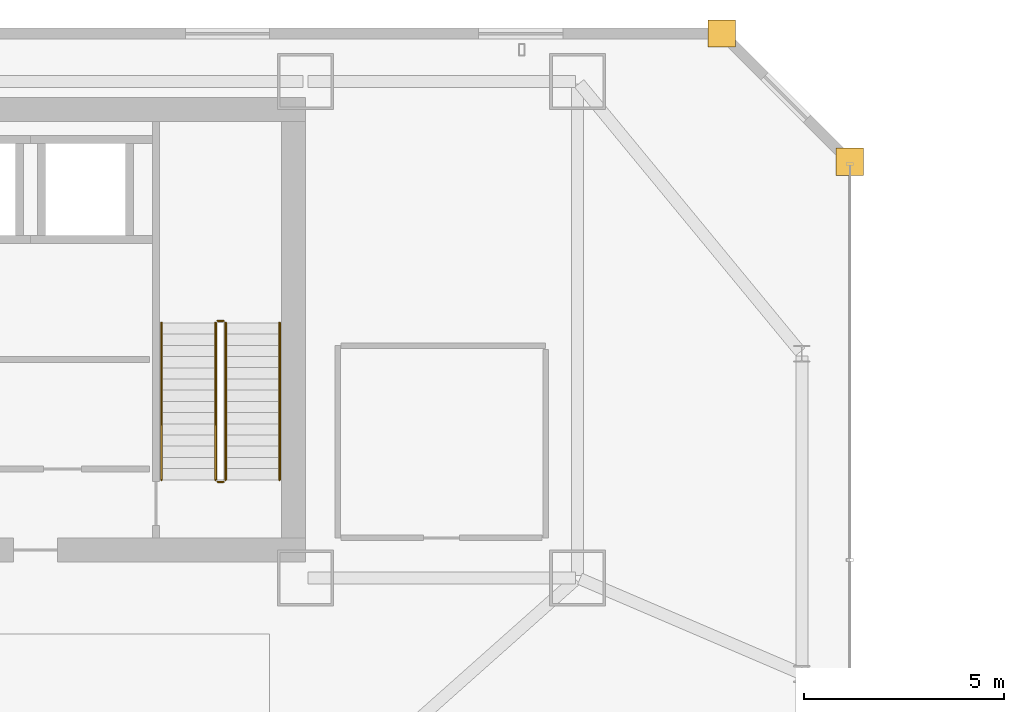
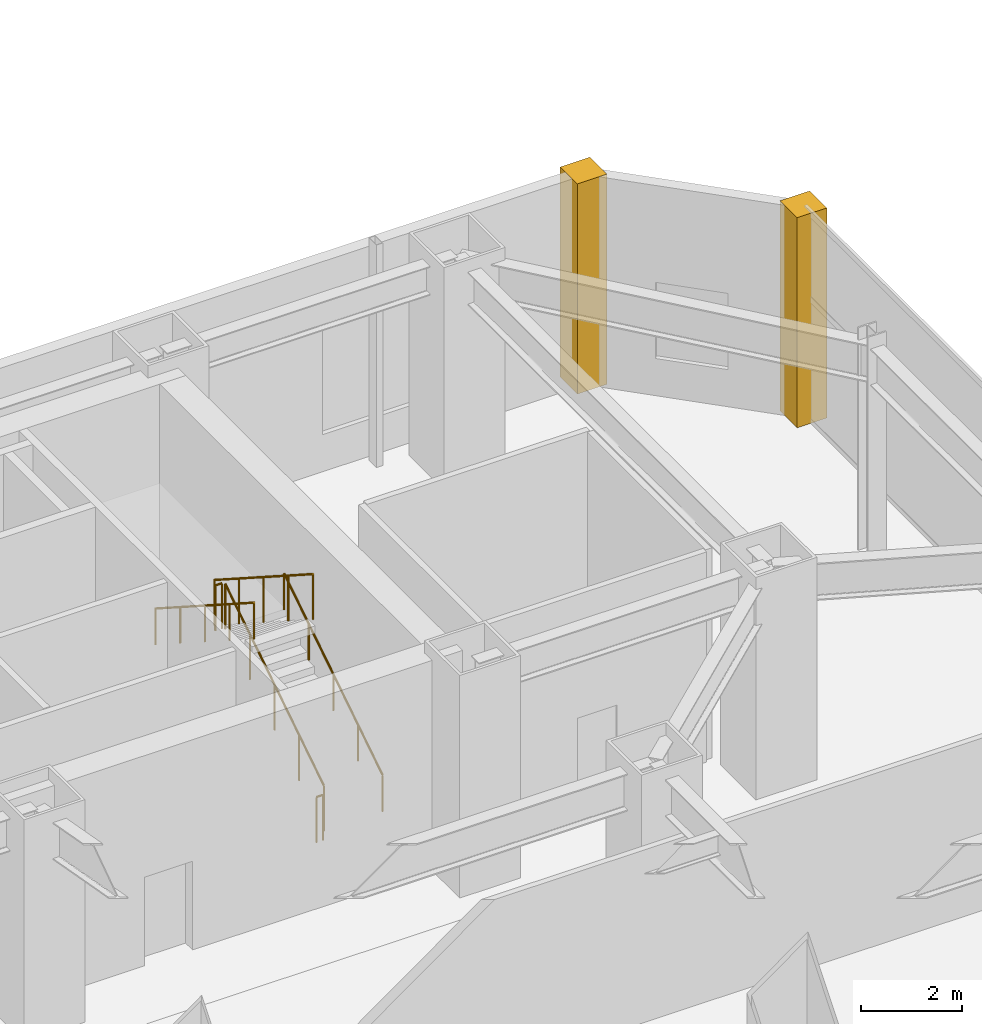
# One storey, part 49 of 52: 6 railings, 2 coverings.
"""IFC4 building model written with IfcOpenShell, lengths in metres."""

from ifc_helpers import new_model, si_unit, direction, frame, origin, origin_2d, place, context, subcontext, project, spatial, polyline, circle, outline, extrude, material, layer, layer_set, type_object, element, save


model = new_model("IFC4")

# Units and contexts
model_context = context("Model", 3, precision=1e-05, world=origin(), true_north=direction((0.0, 1.0)))
body_context = subcontext(model_context, "Body", "Model", "MODEL_VIEW")
ifc_project = project(units=[si_unit("LENGTHUNIT", "METRE"), si_unit("AREAUNIT", "SQUARE_METRE"), si_unit("VOLUMEUNIT", "CUBIC_METRE"), si_unit("PLANEANGLEUNIT", "RADIAN"), si_unit("MASSUNIT", "GRAM", prefix="KILO")], contexts=[model_context])

# Site, building, storey
site_placement = place(None, origin())
site = spatial("IfcSite", under=ifc_project, at=site_placement, CompositionType="ELEMENT")
building_placement = place(site_placement, origin())
building = spatial("IfcBuilding", under=site, at=building_placement, Name="Saevonmaru Cultural Tower", CompositionType="ELEMENT")
storey_placement = place(building_placement, frame((0.0, 0.0, 16.800048828125)))
storey = spatial("IfcBuildingStorey", under=building, at=storey_placement, Name="L03", CompositionType="ELEMENT", Elevation=16.800048828125)

# Coverings
ifc_material_1 = material(Name="Satin Bronze Anodised Aluminium", Category="aluminium")
ifc_layer = layer(ifc_material_1, 0.679931640625, Name="Satin Bronze Anodised Aluminium")
ifc_layer_set = layer_set([ifc_layer], Name="Satin Bronze Anodised Aluminium")
covering_type = type_object("IfcCoveringType", Name="CV-CORNER-CLAD", PredefinedType="CLADDING", material=ifc_layer_set)
covering_1_placement = place(storey_placement, origin())
element("IfcCovering", 1, at=covering_1_placement, inside=storey, type_object=covering_type, Name="L03 Podium Bronze Corner Cladding Pier 5", PredefinedType="CLADDING", context=body_context, shape_type="SweptSolid", body=[
    extrude(outline(polyline([(59.659912109375, 52.4599609375), (60.340087890625, 52.4599609375), (60.340087890625, 53.139892578125), (59.659912109375, 53.139892578125), (59.659912109375, 52.4599609375)])), origin(), (0.0, 0.0, 1.0), 5.099853515625),
])
covering_2_placement = place(storey_placement, origin())
element("IfcCovering", 2, at=covering_2_placement, inside=storey, type_object=covering_type, Name="L03 Podium Bronze Corner Cladding Pier 6", PredefinedType="CLADDING", context=body_context, shape_type="SweptSolid", body=[
    extrude(outline(polyline([(56.4599609375, 55.659912109375), (57.139892578125, 55.659912109375), (57.139892578125, 56.340087890625), (56.4599609375, 56.340087890625), (56.4599609375, 55.659912109375)])), origin(), (0.0, 0.0, 1.0), 5.099853515625),
])

# Railings
ifc_material_2 = material(Name="Architectural Painted Steel", Category="steel")
railing_type_1 = type_object("IfcRailingType", Name="RL-STAIR-GUARD", PredefinedType="GUARDRAIL", material=ifc_material_2)
railing_1_placement = place(storey_placement, frame((44.39990234375, 44.85009765625, 0.179931640625)))
element("IfcRailing", 3, at=railing_1_placement, inside=storey, type_object=railing_type_1, Name="L03 ST-2 stair guard 1", PredefinedType="GUARDRAIL", context=body_context, shape_type="SweptSolid", body=[
    extrude(circle(Radius=0.02392578125, at=origin_2d()), frame((0.0, 0.0, 1.09619140625), z_axis=(0.0, 0.841171666519, 0.540768182723), x_axis=(-1.0, 0.0, 0.0)), (0.0, 0.0, 1.0), 4.66015625),
    extrude(circle(Radius=0.02099609375, at=origin_2d()), origin(), (0.0, 0.0, 1.0), 1.072021484375),
    extrude(circle(Radius=0.02099609375, at=origin_2d()), frame((0.0, 0.97998046875, 0.6298828125)), (0.0, 0.0, 1.0), 1.072021484375),
    extrude(circle(Radius=0.02099609375, at=origin_2d()), frame((0.0, 1.9599609375, 1.260009765625)), (0.0, 0.0, 1.0), 1.072021484375),
    extrude(circle(Radius=0.02099609375, at=origin_2d()), frame((0.0, 2.93994140625, 1.89013671875)), (0.0, 0.0, 1.0), 1.072021484375),
    extrude(circle(Radius=0.02099609375, at=origin_2d()), frame((0.0, 3.919921875, 2.52001953125)), (0.0, 0.0, 1.0), 1.072021484375),
])
railing_2_placement = place(storey_placement, frame((44.35009765625, 48.820068359375, 2.699951171875)))
element("IfcRailing", 4, at=railing_2_placement, inside=storey, type_object=railing_type_1, Name="L03 ST-2 stair guard 2", PredefinedType="GUARDRAIL", context=body_context, shape_type="SweptSolid", body=[
    extrude(circle(Radius=0.02392578125, at=origin_2d()), frame((0.0, 0.0, 1.09619140625), z_axis=(-1.0, 0.0, 0.0), x_axis=(0.0, -1.0, 0.0)), (0.0, 0.0, 1.0), 0.150146484375),
    extrude(circle(Radius=0.02099609375, at=origin_2d()), origin(), (0.0, 0.0, 1.0), 1.072021484375),
    extrude(circle(Radius=0.02099609375, at=origin_2d()), frame((-0.150146484375, 0.0, 0.0)), (0.0, 0.0, 1.0), 1.072021484375),
])
railing_3_placement = place(storey_placement, frame((44.14990234375, 48.77001953125, 2.8798828125)))
element("IfcRailing", 5, at=railing_3_placement, inside=storey, type_object=railing_type_1, Name="L03 ST-2 stair guard 3", PredefinedType="GUARDRAIL", context=body_context, shape_type="SweptSolid", body=[
    extrude(circle(Radius=0.02392578125, at=origin_2d()), frame((0.0, 0.0, 1.09619140625), z_axis=(0.0, -0.841171666519, 0.540768182723), x_axis=(1.0, 0.0, 0.0)), (0.0, 0.0, 1.0), 4.66015625),
    extrude(circle(Radius=0.02099609375, at=origin_2d()), origin(), (0.0, 0.0, 1.0), 1.072021484375),
    extrude(circle(Radius=0.02099609375, at=origin_2d()), frame((0.0, -0.97998046875, 0.6298828125)), (0.0, 0.0, 1.0), 1.072021484375),
    extrude(circle(Radius=0.02099609375, at=origin_2d()), frame((0.0, -1.9599609375, 1.260009765625)), (0.0, 0.0, 1.0), 1.072021484375),
    extrude(circle(Radius=0.02099609375, at=origin_2d()), frame((0.0, -2.93994140625, 1.89013671875)), (0.0, 0.0, 1.0), 1.072021484375),
    extrude(circle(Radius=0.02099609375, at=origin_2d()), frame((0.0, -3.919921875, 2.52001953125)), (0.0, 0.0, 1.0), 1.072021484375),
])
railing_4_placement = place(storey_placement, frame((44.35009765625, 44.800048828125, 0.0)))
element("IfcRailing", 6, at=railing_4_placement, inside=storey, type_object=railing_type_1, Name="L03 ST-2 stair guard 4", PredefinedType="GUARDRAIL", context=body_context, shape_type="SweptSolid", body=[
    extrude(circle(Radius=0.02392578125, at=origin_2d()), frame((0.0, 0.0, 1.09619140625), z_axis=(-1.0, 0.0, 0.0), x_axis=(0.0, -1.0, 0.0)), (0.0, 0.0, 1.0), 0.150146484375),
    extrude(circle(Radius=0.02099609375, at=origin_2d()), origin(), (0.0, 0.0, 1.0), 1.072021484375),
    extrude(circle(Radius=0.02099609375, at=origin_2d()), frame((-0.150146484375, 0.0, 0.0)), (0.0, 0.0, 1.0), 1.072021484375),
])
railing_type_2 = type_object("IfcRailingType", Name="RL-STAIR-HANDRAIL", PredefinedType="HANDRAIL", material=ifc_material_1)
railing_5_placement = place(storey_placement, frame((45.75, 44.85009765625, 0.179931640625)))
element("IfcRailing", 7, at=railing_5_placement, inside=storey, type_object=railing_type_2, Name="L03 ST-2 stair handrail 1", PredefinedType="HANDRAIL", context=body_context, shape_type="SweptSolid", body=[
    extrude(circle(Radius=0.02392578125, at=origin_2d()), frame((0.0, 0.0, 0.8759765625), z_axis=(0.0, 0.841171666519, 0.540768182723), x_axis=(-1.0, 0.0, 0.0)), (0.0, 0.0, 1.0), 4.66015625),
    extrude(circle(Radius=0.02099609375, at=origin_2d()), origin(), (0.0, 0.0, 1.0), 0.851806640625),
    extrude(circle(Radius=0.02099609375, at=origin_2d()), frame((0.0, 0.97998046875, 0.6298828125)), (0.0, 0.0, 1.0), 0.851806640625),
    extrude(circle(Radius=0.02099609375, at=origin_2d()), frame((0.0, 1.9599609375, 1.260009765625)), (0.0, 0.0, 1.0), 0.851806640625),
    extrude(circle(Radius=0.02099609375, at=origin_2d()), frame((0.0, 2.93994140625, 1.89013671875)), (0.0, 0.0, 1.0), 0.851806640625),
    extrude(circle(Radius=0.02099609375, at=origin_2d()), frame((0.0, 3.919921875, 2.52001953125)), (0.0, 0.0, 1.0), 0.851806640625),
])
railing_6_placement = place(storey_placement, frame((42.800048828125, 48.77001953125, 2.8798828125)))
element("IfcRailing", 8, at=railing_6_placement, inside=storey, type_object=railing_type_2, Name="L03 ST-2 stair handrail 2", PredefinedType="HANDRAIL", context=body_context, shape_type="SweptSolid", body=[
    extrude(circle(Radius=0.02392578125, at=origin_2d()), frame((0.0, 0.0, 0.8759765625), z_axis=(0.0, -0.841171666519, 0.540768182723), x_axis=(1.0, 0.0, 0.0)), (0.0, 0.0, 1.0), 4.66015625),
    extrude(circle(Radius=0.02099609375, at=origin_2d()), origin(), (0.0, 0.0, 1.0), 0.851806640625),
    extrude(circle(Radius=0.02099609375, at=origin_2d()), frame((0.0, -0.97998046875, 0.6298828125)), (0.0, 0.0, 1.0), 0.851806640625),
    extrude(circle(Radius=0.02099609375, at=origin_2d()), frame((0.0, -1.9599609375, 1.260009765625)), (0.0, 0.0, 1.0), 0.851806640625),
    extrude(circle(Radius=0.02099609375, at=origin_2d()), frame((0.0, -2.93994140625, 1.89013671875)), (0.0, 0.0, 1.0), 0.851806640625),
    extrude(circle(Radius=0.02099609375, at=origin_2d()), frame((0.0, -3.919921875, 2.52001953125)), (0.0, 0.0, 1.0), 0.851806640625),
])

save(model, "model.ifc")
